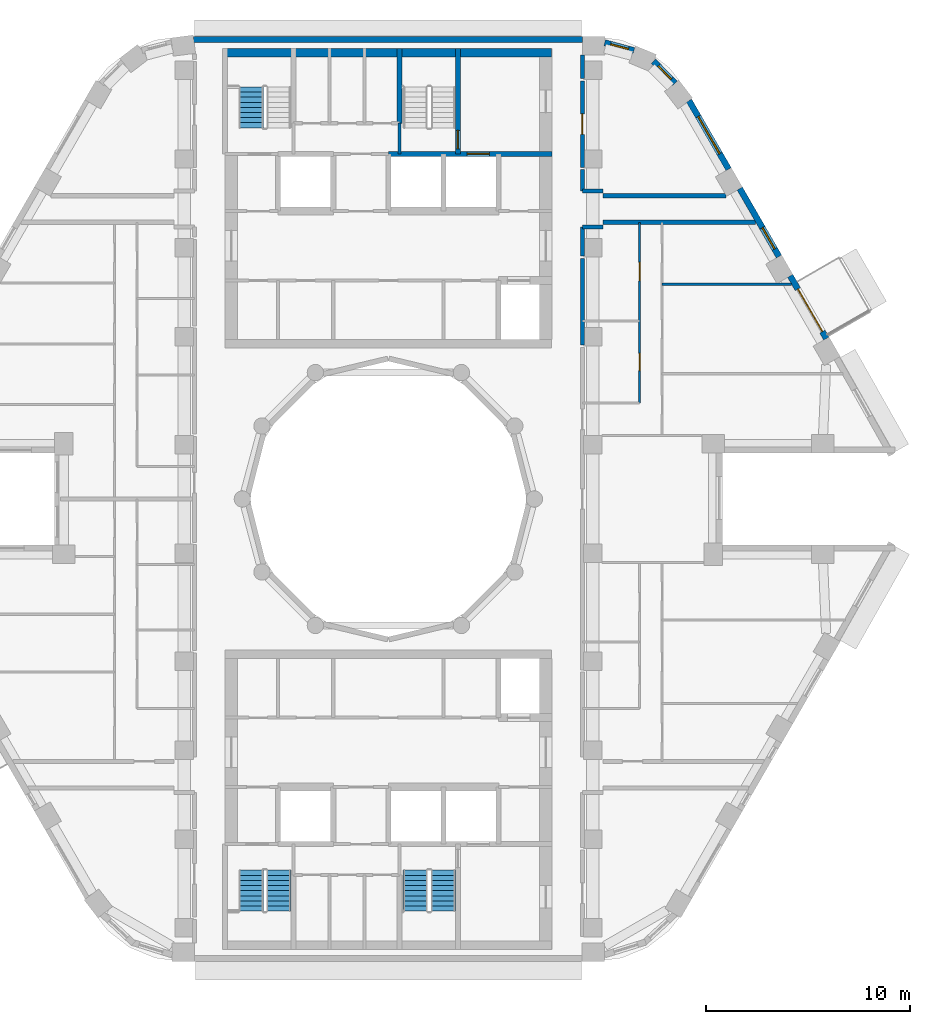
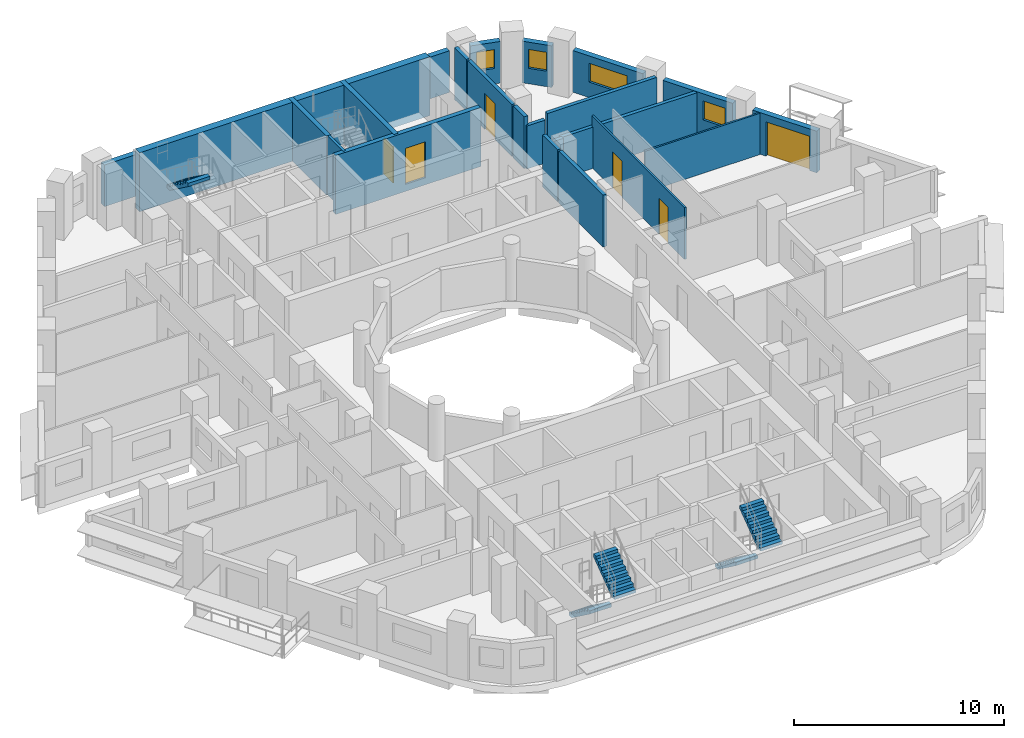
# One storey, part 8 of 16: 22 walls, 6 doors, 5 stair flights, 4 windows, 10 openings, 3 elements without a shape of their own.
"""IFC4 building model written with IfcOpenShell, lengths in metres."""

from ifc_helpers import new_model, si_unit, direction, frame, frame_2d, origin, place, context, subcontext, project, spatial, polyline, rectangle, outline, extrude, material, layer, layer_set, type_object, element, fill, aggregate, save


model = new_model("IFC4")

# Units and contexts
model_context = context("Model", 3, precision=1e-05, world=origin(), true_north=direction((0.0, 1.0)))
body_context = subcontext(model_context, "Body", "Model", "MODEL_VIEW")
ifc_project = project(units=[si_unit("LENGTHUNIT", "METRE"), si_unit("AREAUNIT", "SQUARE_METRE"), si_unit("VOLUMEUNIT", "CUBIC_METRE"), si_unit("PLANEANGLEUNIT", "RADIAN"), si_unit("MASSUNIT", "GRAM", prefix="KILO")], contexts=[model_context])

# Site, building, storey
site_placement = place(None, origin())
site = spatial("IfcSite", under=ifc_project, at=site_placement, CompositionType="ELEMENT")
building_placement = place(site_placement, origin())
building = spatial("IfcBuilding", under=site, at=building_placement, Name="Nakaniwa Court", CompositionType="ELEMENT")
storey_placement = place(building_placement, frame((0.0, 0.0, 226.199951171875)))
storey = spatial("IfcBuildingStorey", under=building, at=storey_placement, Name="L58", CompositionType="ELEMENT", Elevation=226.199951171875)

# Walls
ifc_material_1 = material(Name="Acoustic double stud partition")
ifc_layer_1 = layer(ifc_material_1, 0.199951171875)
ifc_layer_set_1 = layer_set([ifc_layer_1], Name="Acoustic double stud partition")
wall_type_1 = type_object("IfcWallType", Name="Acoustic double stud partition 200", PredefinedType="PARTITIONING", material=ifc_layer_set_1)
wall_1_placement = place(storey_placement, frame((89.5, 87.537109375, 0.0), z_axis=(0.0, 0.0, 1.0), x_axis=(0.0, 1.0, 0.0)))
element("IfcWall", 1, at=wall_1_placement, inside=storey, type_object=wall_type_1, Name="Partition PW-067", PredefinedType="PARTITIONING", context=body_context, shape_type="SweptSolid", body=[
    extrude(rectangle(XDim=4.23583984375, YDim=0.199951171875, at=frame_2d((2.117919921875, 0.0))), origin(), (0.0, 0.0, 1.0), 3.025146484375),
])
wall_2_placement = place(storey_placement, frame((89.5, 91.886962890625, 0.0), z_axis=(0.0, 0.0, 1.0), x_axis=(0.0, 1.0, 0.0)))
element("IfcWall", 2, at=wall_2_placement, inside=storey, type_object=wall_type_1, Name="Partition PW-068", PredefinedType="PARTITIONING", context=body_context, shape_type="SweptSolid", body=[
    extrude(rectangle(XDim=1.44091796875, YDim=0.199951171875, at=frame_2d((0.720458984375, 0.0))), origin(), (0.0, 0.0, 1.0), 3.025146484375),
])
wall_3_placement = place(storey_placement, frame((89.5, 95.072021484375, 0.0), z_axis=(0.0, 0.0, 1.0), x_axis=(0.0, 1.0, 0.0)))
element("IfcWall", 3, at=wall_3_placement, inside=storey, type_object=wall_type_1, Name="Partition PW-069", PredefinedType="PARTITIONING", context=body_context, shape_type="SweptSolid", body=[
    extrude(rectangle(XDim=1.051025390625, YDim=0.199951171875, at=frame_2d((0.525390625, 0.0))), origin(), (0.0, 0.0, 1.0), 3.025146484375),
])

# Wall, opening, door
wall_4_placement = place(storey_placement, frame((89.5, 100.472900390625, 0.0), z_axis=(0.0, 0.0, 1.0), x_axis=(0.0, -1.0, 0.0)))
wall_4 = element("IfcWall", 4, at=wall_4_placement, inside=storey, type_object=wall_type_1, Name="Partition PW-070", PredefinedType="PARTITIONING", context=body_context, shape_type="SweptSolid", body=[
    extrude(rectangle(XDim=4.23583984375, YDim=0.199951171875, at=frame_2d((2.117919921875, 0.0))), origin(), (0.0, 0.0, 1.0), 3.025146484375),
])
opening_1_placement = place(wall_4_placement, frame((1.617919921875, 0.0, 0.0)))
opening_1 = element("IfcOpeningElement", 5, at=opening_1_placement, cuts=wall_4, Name="Opening D-02-03", PredefinedType="OPENING", context=body_context, shape_type="SweptSolid", body=[
    extrude(rectangle(XDim=1.0, YDim=2.10009765625, at=frame_2d((0.5, 1.050048828125))), frame((0.0, 0.10986328125, 0.0), z_axis=(0.0, -1.0, 0.0), x_axis=(1.0, 0.0, 0.0)), (0.0, 0.0, 1.0), 0.219970703125),
])
ifc_material_2 = material(Name="Solid core timber door set, black veneer", Category="wood")
door_type_1 = type_object("IfcDoorType", Name="Internal door 1000", OperationType="NOTDEFINED", PredefinedType="DOOR", material=ifc_material_2)
door_1_placement = place(opening_1_placement, origin())
door_1 = element("IfcDoor", 6, at=door_1_placement, inside=storey, type_object=door_type_1, Name="Door D-02-03 L58-041", OperationType="SINGLE_SWING_RIGHT", OverallHeight=2.10009765625, OverallWidth=1.0, PredefinedType="DOOR", context=body_context, shape_type="SweptSolid", body=[
    extrude(rectangle(XDim=1.0, YDim=2.10009765625, at=frame_2d((0.5, 1.050048828125))), frame((0.0, 0.02490234375, 0.0), z_axis=(0.0, -1.0, 0.0), x_axis=(1.0, 0.0, 0.0)), (0.0, 0.0, 1.0), 0.050048828125),
])
fill(opening_1, door_1)

# Walls
wall_5_placement = place(storey_placement, frame((89.5, 100.5869140625, 0.0), z_axis=(0.0, 0.0, 1.0), x_axis=(0.0, 1.0, 0.0)))
element("IfcWall", 7, at=wall_5_placement, inside=storey, type_object=wall_type_1, Name="Partition PW-071", PredefinedType="PARTITIONING", context=body_context, shape_type="SweptSolid", body=[
    extrude(rectangle(XDim=1.14599609375, YDim=0.199951171875, at=frame_2d((0.572998046875, 0.0))), origin(), (0.0, 0.0, 1.0), 3.025146484375),
])
wall_6_placement = place(storey_placement, frame((90.5, 93.550048828125, 0.0), z_axis=(0.0, 0.0, 1.0), x_axis=(1.0, 0.0, 0.0)))
element("IfcWall", 8, at=wall_6_placement, inside=storey, type_object=wall_type_1, Name="Partition PW-073", PredefinedType="PARTITIONING", context=body_context, shape_type="SweptSolid", body=[
    extrude(rectangle(XDim=7.484619140625, YDim=0.199951171875, at=frame_2d((3.7421875, 0.0))), origin(), (0.0, 0.0, 1.0), 2.405029296875),
])
for number, where, z_axis, x_axis, name in (
    (9, (89.5, 93.324951171875, 0.0), (0.0, 0.0, 1.0), (1.0, 0.0, 0.0), "Partition PW-075"),
    (10, (89.5, 95.074951171875, 0.0), (0.0, 0.0, 1.0), (1.0, 0.0, 0.0), "Partition PW-077"),
):
    element("IfcWall", number, at=place(storey_placement, frame(where, z_axis=z_axis, x_axis=x_axis)), inside=storey, type_object=wall_type_1, Name=name, PredefinedType="PARTITIONING", context=body_context, shape_type="SweptSolid", body=[
        extrude(rectangle(XDim=1.0, YDim=0.199951171875, at=frame_2d((0.5, 0.0))), origin(), (0.0, 0.0, 1.0), 2.505126953125),
    ])
wall_7_placement = place(storey_placement, frame((90.5, 94.85009765625, 0.0), z_axis=(0.0, 0.0, 1.0), x_axis=(1.0, 0.0, 0.0)))
element("IfcWall", 11, at=wall_7_placement, inside=storey, type_object=wall_type_1, Name="Partition PW-079", PredefinedType="PARTITIONING", context=body_context, shape_type="SweptSolid", body=[
    extrude(rectangle(XDim=6.02099609375, YDim=0.199951171875, at=frame_2d((3.010498046875, 0.0))), origin(), (0.0, 0.0, 1.0), 3.025146484375),
])

# Wall, opening, door
ifc_material_3 = material(Name="Charcoal ceramic cladding")
ifc_layer_2 = layer(ifc_material_3, 0.02, Name="Ceramic cladding")
ifc_material_4 = material(Name="Ventilated air cavity")
ifc_layer_3 = layer(ifc_material_4, 0.04, ventilated=True, Name="Ventilated cavity")
ifc_material_5 = material(Name="Mineral wool insulation")
ifc_layer_4 = layer(ifc_material_5, 0.1, Name="Insulation")
ifc_material_6 = material(Name="Cement bonded sheathing board")
ifc_layer_5 = layer(ifc_material_6, 0.012, Name="Sheathing")
ifc_material_7 = material(Name="Cold-formed galvanised stud frame with mineral wool infill")
ifc_layer_6 = layer(ifc_material_7, 0.1, Name="Stud frame")
ifc_material_8 = material(Name="Fire-rated gypsum plasterboard lining")
ifc_layer_7 = layer(ifc_material_8, 0.028, Name="Lining")
ifc_layer_set_2 = layer_set([ifc_layer_2, ifc_layer_3, ifc_layer_4, ifc_layer_5, ifc_layer_6, ifc_layer_7], Name="Charcoal ceramic faced external wall system")
wall_type_2 = type_object("IfcWallType", Name="Black ceramic faced external wall 300", PredefinedType="SOLIDWALL", material=ifc_layer_set_2)
wall_8_placement = place(storey_placement, frame((101.44580078125, 87.85498046875, 0.0), z_axis=(0.0, 0.0, 1.0), x_axis=(-0.500010404316, 0.866019396766, 0.0)))
wall_8 = element("IfcWall", 12, at=wall_8_placement, inside=storey, type_object=wall_type_2, Name="L58 external wall 03", PredefinedType="SOLIDWALL", context=body_context, shape_type="SweptSolid", body=[
    extrude(rectangle(XDim=3.54736328125, YDim=0.300048828125, at=frame_2d((1.773681640625, 0.0))), origin(), (0.0, 0.0, 1.0), 2.425048828125),
])
opening_2_placement = place(wall_8_placement, frame((0.3974609375, 0.0, 0.0)))
opening_2 = element("IfcOpeningElement", 13, at=opening_2_placement, cuts=wall_8, Name="Opening XD13.01", PredefinedType="OPENING", context=body_context, shape_type="SweptSolid", body=[
    extrude(rectangle(XDim=2.39990234375, YDim=2.0, at=frame_2d((1.199951171875, 1.0))), frame((0.0, 0.159912109375, 0.0), z_axis=(0.0, -1.0, 0.0), x_axis=(1.0, 0.0, 0.0)), (0.0, 0.0, 1.0), 0.320068359375),
])
ifc_material_9 = material(Name="Black powder-coated aluminium frame with dark laminated glass", Category="aluminium")
door_type_2 = type_object("IfcDoorType", Name="Balcony sliding door 2400x2000", OperationType="DOUBLE_DOOR_SLIDING", PredefinedType="DOOR", material=ifc_material_9)
door_2_placement = place(opening_2_placement, origin())
door_2 = element("IfcDoor", 14, at=door_2_placement, inside=storey, type_object=door_type_2, Name="L58 balcony sliding door 02", OperationType="DOUBLE_DOOR_SLIDING", OverallHeight=2.0, OverallWidth=2.39990234375, PredefinedType="DOOR", context=body_context, shape_type="SweptSolid", body=[
    extrude(rectangle(XDim=2.39990234375, YDim=2.0, at=frame_2d((1.199951171875, 1.0))), frame((0.0, 0.02490234375, 0.0), z_axis=(0.0, -1.0, 0.0), x_axis=(1.0, 0.0, 0.0)), (0.0, 0.0, 1.0), 0.050048828125),
])
fill(opening_2, door_2)

# Wall, opening, window
wall_9_placement = place(storey_placement, frame((99.126220703125, 91.87255859375, 0.0), z_axis=(0.0, 0.0, 1.0), x_axis=(-0.499984490703, 0.866034357896, 0.0)))
wall_9 = element("IfcWall", 15, at=wall_9_placement, inside=storey, type_object=wall_type_2, Name="L58 external wall 04", PredefinedType="SOLIDWALL", context=body_context, shape_type="SweptSolid", body=[
    extrude(rectangle(XDim=3.84423828125, YDim=0.300048828125, at=frame_2d((1.922119140625, 0.0))), origin(), (0.0, 0.0, 1.0), 2.425048828125),
])
opening_3_placement = place(wall_9_placement, frame((0.4296875, 0.0, 0.89990234375)))
opening_3 = element("IfcOpeningElement", 16, at=opening_3_placement, cuts=wall_9, Name="Opening W6.02", PredefinedType="OPENING", context=body_context, shape_type="SweptSolid", body=[
    extrude(rectangle(XDim=1.199951171875, YDim=1.10009765625, at=frame_2d((0.60009765625, 0.550048828125))), frame((0.0, 0.159912109375, 0.0), z_axis=(0.0, -1.0, 0.0), x_axis=(1.0, 0.0, 0.0)), (0.0, 0.0, 1.0), 0.320068359375),
])
ifc_material_10 = material(Name="Black anodised aluminium frame with dark low-E laminated double glazing", Category="aluminium")
window_type_1 = type_object("IfcWindowType", Name="Dark glass window 1200x1100 sill 900", PartitioningType="SINGLE_PANEL", PredefinedType="WINDOW", material=ifc_material_10)
window_1_placement = place(opening_3_placement, origin())
window_1 = element("IfcWindow", 17, at=window_1_placement, inside=storey, type_object=window_type_1, Name="L58 bedroom window 04-0", OverallHeight=1.10009765625, OverallWidth=1.199951171875, PartitioningType="SINGLE_PANEL", PredefinedType="WINDOW", context=body_context, shape_type="SweptSolid", body=[
    extrude(rectangle(XDim=1.199951171875, YDim=1.10009765625, at=frame_2d((0.60009765625, 0.550048828125))), frame((0.0, 0.030029296875, 0.0), z_axis=(0.0, -1.0, 0.0), x_axis=(1.0, 0.0, 0.0)), (0.0, 0.0, 1.0), 0.06005859375),
])
fill(opening_3, window_1)

wall_10_placement = place(storey_placement, frame((96.657958984375, 96.1474609375, 0.0), z_axis=(0.0, 0.0, 1.0), x_axis=(-0.500011218404, 0.866018926739, 0.0)))
wall_10 = element("IfcWall", 18, at=wall_10_placement, inside=storey, type_object=wall_type_2, Name="L58 external wall 05", PredefinedType="SOLIDWALL", context=body_context, shape_type="SweptSolid", body=[
    extrude(rectangle(XDim=3.87890625, YDim=0.300048828125, at=frame_2d((1.939453125, 0.0))), origin(), (0.0, 0.0, 1.0), 2.425048828125),
])
opening_4_placement = place(wall_10_placement, frame((0.878173828125, 0.0, 0.89990234375)))
opening_4 = element("IfcOpeningElement", 19, at=opening_4_placement, cuts=wall_10, Name="Opening W7.03", PredefinedType="OPENING", context=body_context, shape_type="SweptSolid", body=[
    extrude(rectangle(XDim=2.10009765625, YDim=1.10009765625, at=frame_2d((1.050048828125, 0.550048828125))), frame((0.0, 0.159912109375, 0.0), z_axis=(0.0, -1.0, 0.0), x_axis=(1.0, 0.0, 0.0)), (0.0, 0.0, 1.0), 0.320068359375),
])
window_type_2 = type_object("IfcWindowType", Name="Dark glass window 2100x1100 sill 900", PartitioningType="SINGLE_PANEL", PredefinedType="WINDOW", material=ifc_material_10)
window_2_placement = place(opening_4_placement, origin())
window_2 = element("IfcWindow", 20, at=window_2_placement, inside=storey, type_object=window_type_2, Name="L58 habitable room window 05-0", OverallHeight=1.10009765625, OverallWidth=2.10009765625, PartitioningType="SINGLE_PANEL", PredefinedType="WINDOW", context=body_context, shape_type="SweptSolid", body=[
    extrude(rectangle(XDim=2.10009765625, YDim=1.10009765625, at=frame_2d((1.050048828125, 0.550048828125))), frame((0.0, 0.030029296875, 0.0), z_axis=(0.0, -1.0, 0.0), x_axis=(1.0, 0.0, 0.0)), (0.0, 0.0, 1.0), 0.06005859375),
])
fill(opening_4, window_2)

wall_11_placement = place(storey_placement, frame((94.0341796875, 100.3583984375, 0.0), z_axis=(0.0, 0.0, 1.0), x_axis=(-0.698675602211, 0.71543860874, 0.0)))
wall_11 = element("IfcWall", 21, at=wall_11_placement, inside=storey, type_object=wall_type_2, Name="L58 external wall 06", PredefinedType="SOLIDWALL", context=body_context, shape_type="SweptSolid", body=[
    extrude(rectangle(XDim=1.5, YDim=0.300048828125, at=frame_2d((0.75, 0.0))), origin(), (0.0, 0.0, 1.0), 2.425048828125),
])
opening_5_placement = place(wall_11_placement, frame((0.27587890625, 0.0, 0.89990234375)))
opening_5 = element("IfcOpeningElement", 22, at=opening_5_placement, cuts=wall_11, Name="Opening W9.04", PredefinedType="OPENING", context=body_context, shape_type="SweptSolid", body=[
    extrude(rectangle(XDim=0.89990234375, YDim=1.10009765625, at=frame_2d((0.449951171875, 0.550048828125))), frame((0.0, 0.159912109375, 0.0), z_axis=(0.0, -1.0, 0.0), x_axis=(1.0, 0.0, 0.0)), (0.0, 0.0, 1.0), 0.320068359375),
])
window_type_3 = type_object("IfcWindowType", Name="Dark glass window 900x1100 sill 900", PartitioningType="SINGLE_PANEL", PredefinedType="WINDOW", material=ifc_material_10)
window_3_placement = place(opening_5_placement, origin())
window_3 = element("IfcWindow", 23, at=window_3_placement, inside=storey, type_object=window_type_3, Name="L58 habitable room window 06-0", OverallHeight=1.10009765625, OverallWidth=0.89990234375, PartitioningType="SINGLE_PANEL", PredefinedType="WINDOW", context=body_context, shape_type="SweptSolid", body=[
    extrude(rectangle(XDim=0.89990234375, YDim=1.10009765625, at=frame_2d((0.449951171875, 0.550048828125))), frame((0.0, 0.030029296875, 0.0), z_axis=(0.0, -1.0, 0.0), x_axis=(1.0, 0.0, 0.0)), (0.0, 0.0, 1.0), 0.06005859375),
])
fill(opening_5, window_3)

wall_12_placement = place(storey_placement, frame((92.02099609375, 101.956298828125, 0.0), z_axis=(0.0, 0.0, 1.0), x_axis=(-0.965392564919, 0.260801065181, 0.0)))
wall_12 = element("IfcWall", 24, at=wall_12_placement, inside=storey, type_object=wall_type_2, Name="L58 external wall 07", PredefinedType="SOLIDWALL", context=body_context, shape_type="SweptSolid", body=[
    extrude(rectangle(XDim=1.48095703125, YDim=0.300048828125, at=frame_2d((0.740478515625, 0.0))), origin(), (0.0, 0.0, 1.0), 2.425048828125),
])
opening_6_placement = place(wall_12_placement, frame((0.280029296875, 0.0, 0.89990234375)))
opening_6 = element("IfcOpeningElement", 25, at=opening_6_placement, cuts=wall_12, Name="Opening W9.05", PredefinedType="OPENING", context=body_context, shape_type="SweptSolid", body=[
    extrude(rectangle(XDim=0.89990234375, YDim=1.10009765625, at=frame_2d((0.449951171875, 0.550048828125))), frame((0.0, 0.159912109375, 0.0), z_axis=(0.0, -1.0, 0.0), x_axis=(1.0, 0.0, 0.0)), (0.0, 0.0, 1.0), 0.320068359375),
])
window_4_placement = place(opening_6_placement, origin())
window_4 = element("IfcWindow", 26, at=window_4_placement, inside=storey, type_object=window_type_3, Name="L58 habitable room window 07-0", OverallHeight=1.10009765625, OverallWidth=0.89990234375, PartitioningType="SINGLE_PANEL", PredefinedType="WINDOW", context=body_context, shape_type="SweptSolid", body=[
    extrude(rectangle(XDim=0.89990234375, YDim=1.10009765625, at=frame_2d((0.449951171875, 0.550048828125))), frame((0.0, 0.030029296875, 0.0), z_axis=(0.0, -1.0, 0.0), x_axis=(1.0, 0.0, 0.0)), (0.0, 0.0, 1.0), 0.06005859375),
])
fill(opening_6, window_4)

# Walls
wall_13_placement = place(storey_placement, frame((89.499267578125, 102.5, 0.0), z_axis=(0.0, 0.0, 1.0), x_axis=(-1.0, 0.0, 0.0)))
element("IfcWall", 27, at=wall_13_placement, inside=storey, type_object=wall_type_2, Name="L58 external wall 08", PredefinedType="SOLIDWALL", context=body_context, shape_type="SweptSolid", body=[
    extrude(rectangle(XDim=19.033447265625, YDim=0.300048828125, at=frame_2d((9.5166015625, 0.0))), origin(), (0.0, 0.0, 1.0), 2.425048828125),
])
ifc_material_11 = material(Name="Concrete C80/100", Category="concrete")
ifc_layer_8 = layer(ifc_material_11, 0.14990234375)
ifc_layer_set_3 = layer_set([ifc_layer_8], Name="Concrete C80/100")
wall_type_3 = type_object("IfcWallType", Name="Concrete core wall 150 C80", PredefinedType="SHEAR", material=ifc_layer_set_3)
wall_14_placement = place(storey_placement, frame((80.550048828125, 96.89990234375, -0.409912109375), z_axis=(0.0, 0.0, 1.0), x_axis=(0.0, 1.0, 0.0)))
element("IfcWall", 28, at=wall_14_placement, inside=storey, type_object=wall_type_3, Name="Core wall SW-27", PredefinedType="SHEAR", context=body_context, shape_type="SweptSolid", body=[
    extrude(rectangle(XDim=1.503173828125, YDim=0.14990234375, at=frame_2d((0.75146484375, 0.0))), origin(), (0.0, 0.0, 1.0), 3.43505859375),
])
ifc_layer_9 = layer(ifc_material_11, 0.39990234375)
ifc_layer_set_4 = layer_set([ifc_layer_9], Name="Concrete C80/100")
wall_type_4 = type_object("IfcWallType", Name="Concrete core wall 400 C80", PredefinedType="SHEAR", material=ifc_layer_set_4)
wall_15_placement = place(storey_placement, frame((72.00390625, 101.85009765625, -0.409912109375), z_axis=(0.0, 0.0, 1.0), x_axis=(1.0, 0.0, 0.0)))
element("IfcWall", 29, at=wall_15_placement, inside=storey, type_object=wall_type_4, Name="Core wall SW-129", PredefinedType="SHEAR", context=body_context, shape_type="SweptSolid", body=[
    extrude(rectangle(XDim=15.9921875, YDim=0.39990234375, at=frame_2d((7.99609375, 0.0))), origin(), (0.0, 0.0, 1.0), 3.43505859375),
])

# Wall, opening, door
ifc_layer_10 = layer(ifc_material_11, 0.25)
ifc_layer_set_5 = layer_set([ifc_layer_10], Name="Concrete C80/100")
wall_type_5 = type_object("IfcWallType", Name="Concrete shaft wall 250 C80", PredefinedType="SHEAR", material=ifc_layer_set_5)
wall_16_placement = place(storey_placement, frame((80.0, 96.89990234375, -0.409912109375), z_axis=(0.0, 0.0, 1.0), x_axis=(1.0, 0.0, 0.0)))
wall_16 = element("IfcWall", 30, at=wall_16_placement, inside=storey, type_object=wall_type_5, Name="Core wall SW-19", PredefinedType="SHEAR", context=body_context, shape_type="SweptSolid", body=[
    extrude(rectangle(XDim=8.0, YDim=0.25, at=frame_2d((4.0, 0.0))), origin(), (0.0, 0.0, 1.0), 3.43505859375),
])
opening_7_placement = place(wall_16_placement, frame((3.84912109375, 0.0, 0.409912109375)))
opening_7 = element("IfcOpeningElement", 31, at=opening_7_placement, cuts=wall_16, Name="Opening LD02", PredefinedType="OPENING", context=body_context, shape_type="SweptSolid", body=[
    extrude(rectangle(XDim=1.10009765625, YDim=2.10009765625, at=frame_2d((0.550048828125, 1.050048828125))), frame((0.0, 0.135009765625, 0.0), z_axis=(0.0, -1.0, 0.0), x_axis=(1.0, 0.0, 0.0)), (0.0, 0.0, 1.0), 0.27001953125),
])
ifc_material_12 = material(Name="Stainless steel sliding lift landing door", Category="steel")
door_type_3 = type_object("IfcDoorType", Name="Lift landing door 1100", OperationType="NOTDEFINED", PredefinedType="DOOR", material=ifc_material_12)
door_3_placement = place(opening_7_placement, origin())
door_3 = element("IfcDoor", 32, at=door_3_placement, inside=storey, type_object=door_type_3, Name="Lift landing door LD02 L58-002", OperationType="SLIDING_TO_LEFT", OverallHeight=2.10009765625, OverallWidth=1.10009765625, PredefinedType="DOOR", context=body_context, shape_type="SweptSolid", body=[
    extrude(rectangle(XDim=1.10009765625, YDim=2.10009765625, at=frame_2d((0.550048828125, 1.050048828125))), frame((0.0, 0.02490234375, 0.0), z_axis=(0.0, -1.0, 0.0), x_axis=(1.0, 0.0, 0.0)), (0.0, 0.0, 1.0), 0.050048828125),
])
fill(opening_7, door_3)

wall_17_placement = place(storey_placement, frame((83.39990234375, 102.050048828125, -0.409912109375), z_axis=(0.0, 0.0, 1.0), x_axis=(0.0, -1.0, 0.0)))
wall_17 = element("IfcWall", 33, at=wall_17_placement, inside=storey, type_object=wall_type_5, Name="Core wall SW-26", PredefinedType="SHEAR", context=body_context, shape_type="SweptSolid", body=[
    extrude(rectangle(XDim=5.150146484375, YDim=0.25, at=frame_2d((2.5751953125, 0.0))), origin(), (0.0, 0.0, 1.0), 3.43505859375),
])
opening_8_placement = place(wall_17_placement, frame((4.0, 0.0, 0.409912109375)))
opening_8 = element("IfcOpeningElement", 34, at=opening_8_placement, cuts=wall_17, Name="Opening D-11-01", PredefinedType="OPENING", context=body_context, shape_type="SweptSolid", body=[
    extrude(rectangle(XDim=0.89990234375, YDim=2.10009765625, at=frame_2d((0.449951171875, 1.050048828125))), frame((0.0, 0.135009765625, 0.0), z_axis=(0.0, -1.0, 0.0), x_axis=(1.0, 0.0, 0.0)), (0.0, 0.0, 1.0), 0.27001953125),
])
ifc_material_13 = material(Name="Fire rated steel door set", Category="steel")
door_type_4 = type_object("IfcDoorType", Name="Stair door 900", OperationType="NOTDEFINED", PredefinedType="DOOR", material=ifc_material_13)
door_4_placement = place(opening_8_placement, origin())
door_4 = element("IfcDoor", 35, at=door_4_placement, inside=storey, type_object=door_type_4, Name="Door D-11-01 L58-013", OperationType="SINGLE_SWING_LEFT", OverallHeight=2.10009765625, OverallWidth=0.89990234375, PredefinedType="DOOR", context=body_context, shape_type="SweptSolid", body=[
    extrude(rectangle(XDim=0.89990234375, YDim=2.10009765625, at=frame_2d((0.449951171875, 1.050048828125))), frame((0.0, 0.02490234375, 0.0), z_axis=(0.0, -1.0, 0.0), x_axis=(1.0, 0.0, 0.0)), (0.0, 0.0, 1.0), 0.050048828125),
])
fill(opening_8, door_4)

# Wall
wall_18_placement = place(storey_placement, frame((80.550048828125, 98.39697265625, -0.409912109375), z_axis=(0.0, 0.0, 1.0), x_axis=(0.0, 1.0, 0.0)))
element("IfcWall", 36, at=wall_18_placement, inside=storey, type_object=wall_type_5, Name="Core wall SW-28", PredefinedType="SHEAR", context=body_context, shape_type="SweptSolid", body=[
    extrude(rectangle(XDim=3.653076171875, YDim=0.25, at=frame_2d((1.82666015625, 0.0))), origin(), (0.0, 0.0, 1.0), 3.43505859375),
])

# Wall, openings, doors
ifc_material_14 = material(Name="Single stud plasterboard partition")
ifc_layer_11 = layer(ifc_material_14, 0.10009765625)
ifc_layer_set_6 = layer_set([ifc_layer_11], Name="Single stud plasterboard partition")
wall_type_6 = type_object("IfcWallType", Name="Single stud plasterboard partition 100", PredefinedType="PARTITIONING", material=ifc_layer_set_6)
wall_19_placement = place(storey_placement, frame((92.300048828125, 84.699951171875, 0.0), z_axis=(0.0, 0.0, 1.0), x_axis=(0.0, 1.0, 0.0)))
wall_19 = element("IfcWall", 37, at=wall_19_placement, inside=storey, type_object=wall_type_6, Name="Partition PW-100", PredefinedType="PARTITIONING", context=body_context, shape_type="SweptSolid", body=[
    extrude(rectangle(XDim=8.85009765625, YDim=0.10009765625, at=frame_2d((4.425048828125, 0.0))), origin(), (0.0, 0.0, 1.0), 3.025146484375),
])
opening_9_placement = place(wall_19_placement, frame((1.5859375, 0.0, 0.0)))
opening_9 = element("IfcOpeningElement", 38, at=opening_9_placement, cuts=wall_19, Name="Opening D-03-02", PredefinedType="OPENING", context=body_context, shape_type="SweptSolid", body=[
    extrude(rectangle(XDim=0.85009765625, YDim=2.10009765625, at=frame_2d((0.425048828125, 1.050048828125))), frame((0.0, 0.06005859375, 0.0), z_axis=(0.0, -1.0, 0.0), x_axis=(1.0, 0.0, 0.0)), (0.0, 0.0, 1.0), 0.1201171875),
])
opening_10_placement = place(wall_19_placement, frame((5.986083984375, 0.0, 0.0)))
opening_10 = element("IfcOpeningElement", 39, at=opening_10_placement, cuts=wall_19, Name="Opening D-33-05", PredefinedType="OPENING", context=body_context, shape_type="SweptSolid", body=[
    extrude(rectangle(XDim=0.89990234375, YDim=2.10009765625, at=frame_2d((0.449951171875, 1.050048828125))), frame((0.0, 0.06005859375, 0.0), z_axis=(0.0, -1.0, 0.0), x_axis=(1.0, 0.0, 0.0)), (0.0, 0.0, 1.0), 0.1201171875),
])
ifc_material_15 = material(Name="Moisture sealed timber door set", Category="wood")
door_type_5 = type_object("IfcDoorType", Name="Bathroom door 850", OperationType="NOTDEFINED", PredefinedType="DOOR", material=ifc_material_15)
door_5_placement = place(opening_9_placement, origin())
door_5 = element("IfcDoor", 40, at=door_5_placement, inside=storey, type_object=door_type_5, Name="Door D-03-02 L58-036", OperationType="SINGLE_SWING_LEFT", OverallHeight=2.10009765625, OverallWidth=0.85009765625, PredefinedType="DOOR", context=body_context, shape_type="SweptSolid", body=[
    extrude(rectangle(XDim=0.85009765625, YDim=2.10009765625, at=frame_2d((0.425048828125, 1.050048828125))), frame((0.0, 0.02490234375, 0.0), z_axis=(0.0, -1.0, 0.0), x_axis=(1.0, 0.0, 0.0)), (0.0, 0.0, 1.0), 0.050048828125),
])
fill(opening_9, door_5)
door_type_6 = type_object("IfcDoorType", Name="Internal door 900", OperationType="NOTDEFINED", PredefinedType="DOOR", material=ifc_material_2)
door_6_placement = place(opening_10_placement, origin())
door_6 = element("IfcDoor", 41, at=door_6_placement, inside=storey, type_object=door_type_6, Name="Door D-33-05 L58-037", OperationType="SINGLE_SWING_RIGHT", OverallHeight=2.10009765625, OverallWidth=0.89990234375, PredefinedType="DOOR", context=body_context, shape_type="SweptSolid", body=[
    extrude(rectangle(XDim=0.89990234375, YDim=2.10009765625, at=frame_2d((0.449951171875, 1.050048828125))), frame((0.0, 0.02490234375, 0.0), z_axis=(0.0, -1.0, 0.0), x_axis=(1.0, 0.0, 0.0)), (0.0, 0.0, 1.0), 0.050048828125),
])
fill(opening_10, door_6)

# Wall
wall_20_placement = place(storey_placement, frame((93.39990234375, 90.51611328125, 0.0), z_axis=(0.0, 0.0, 1.0), x_axis=(1.0, 0.0, 0.0)))
element("IfcWall", 42, at=wall_20_placement, inside=storey, type_object=wall_type_6, Name="Partition PW-112", PredefinedType="PARTITIONING", context=body_context, shape_type="SweptSolid", body=[
    extrude(rectangle(XDim=6.336181640625, YDim=0.10009765625, at=frame_2d((3.16796875, 0.0))), origin(), (0.0, 0.0, 1.0), 2.405029296875),
])

# Stair, stair flight
stair_type = type_object("IfcStairType", Name="Dog leg stair 1200 wide 18 risers", PredefinedType="HALF_TURN_STAIR", material=ifc_material_11)
stair_1_placement = place(storey_placement, origin())
stair_1 = element("IfcStair", 43, at=stair_1_placement, inside=storey, type_object=stair_type, Name="L58 Stair ST1", PredefinedType="HALF_TURN_STAIR")
stair_flight_type = type_object("IfcStairFlightType", Name="Stair flight 1200 wide 9 risers", PredefinedType="STRAIGHT", material=ifc_material_11)
stair_flight_1_placement = place(storey_placement, frame((73.27490234375, 100.175048828125, 1.650146484375), z_axis=(0.0, 0.0, 1.0), x_axis=(0.0, -1.0, 0.0)))
stair_flight_1 = element("IfcStairFlight", 44, at=stair_flight_1_placement, type_object=stair_flight_type, Name="ST1 flight 2", NumberOfRisers=9, NumberOfTreads=8, PredefinedType="STRAIGHT", RiserHeight=0.183333333, TreadLength=0.25, context=body_context, shape_type="SweptSolid", body=[
    extrude(outline(polyline([(0.0, 0.0), (0.0, 0.026123046875), (0.0, 0.052490234375), (0.0, 0.07861328125), (0.0, 0.104736328125), (0.0, 0.130859375), (0.0, 0.1572265625), (0.0, 0.183349609375), (0.25, 0.183349609375), (0.25, 0.36669921875), (0.5, 0.36669921875), (0.5, 0.550048828125), (0.75, 0.550048828125), (0.75, 0.7333984375), (1.0, 0.7333984375), (1.0, 0.916748046875), (1.25, 0.916748046875), (1.25, 1.10009765625), (1.5, 1.10009765625), (1.5, 1.283447265625), (1.75, 1.283447265625), (1.75, 1.466552734375), (2.0, 1.466552734375), (2.0, 1.64990234375), (2.0, 1.59716796875), (2.0, 1.54443359375), (2.0, 1.49169921875), (2.0, 1.43896484375), (2.0, 1.38623046875), (2.0, 1.33349609375), (2.0, 1.28076171875), (0.25341796875, 0.0), (0.0, 0.0)])), frame((0.0, 0.60009765625, 0.0), z_axis=(0.0, -1.0, 0.0), x_axis=(1.0, 0.0, 0.0)), (0.0, 0.0, 1.0), 1.199951171875),
])
aggregate(stair_1, [stair_flight_1])

# Stair, stair flights
stair_2_placement = place(storey_placement, origin())
stair_2 = element("IfcStair", 45, at=stair_2_placement, inside=storey, type_object=stair_type, Name="L58 Stair ST3", PredefinedType="HALF_TURN_STAIR")
stair_flight_2_placement = place(storey_placement, frame((73.27490234375, 61.824951171875, 0.0), z_axis=(0.0, 0.0, 1.0), x_axis=(0.0, -1.0, 0.0)))
stair_flight_2 = element("IfcStairFlight", 46, at=stair_flight_2_placement, type_object=stair_flight_type, Name="ST3 flight 1", NumberOfRisers=9, NumberOfTreads=8, PredefinedType="STRAIGHT", RiserHeight=0.183333333, TreadLength=0.25, context=body_context, shape_type="SweptSolid", body=[
    extrude(outline(polyline([(0.0, 0.0), (0.0, 0.026123046875), (0.0, 0.052490234375), (0.0, 0.07861328125), (0.0, 0.104736328125), (0.0, 0.130859375), (0.0, 0.1572265625), (0.0, 0.183349609375), (0.25, 0.183349609375), (0.25, 0.36669921875), (0.5, 0.36669921875), (0.5, 0.550048828125), (0.75, 0.550048828125), (0.75, 0.7333984375), (1.0, 0.7333984375), (1.0, 0.916748046875), (1.25, 0.916748046875), (1.25, 1.10009765625), (1.5, 1.10009765625), (1.5, 1.283447265625), (1.75, 1.283447265625), (1.75, 1.466552734375), (2.0, 1.466552734375), (2.0, 1.64990234375), (2.0, 1.59716796875), (2.0, 1.54443359375), (2.0, 1.49169921875), (2.0, 1.43896484375), (2.0, 1.38623046875), (2.0, 1.33349609375), (2.0, 1.28076171875), (0.25341796875, 0.0), (0.0, 0.0)])), frame((0.0, 0.60009765625, 0.0), z_axis=(0.0, -1.0, 0.0), x_axis=(1.0, 0.0, 0.0)), (0.0, 0.0, 1.0), 1.199951171875),
])
stair_flight_3_placement = place(storey_placement, frame((74.625, 59.824951171875, 1.650146484375), z_axis=(0.0, 0.0, 1.0), x_axis=(0.0, 1.0, 0.0)))
stair_flight_3 = element("IfcStairFlight", 47, at=stair_flight_3_placement, type_object=stair_flight_type, Name="ST3 flight 2", NumberOfRisers=9, NumberOfTreads=8, PredefinedType="STRAIGHT", RiserHeight=0.183333333, TreadLength=0.25, context=body_context, shape_type="SweptSolid", body=[
    extrude(outline(polyline([(0.0, 0.0), (0.0, 0.026123046875), (0.0, 0.052490234375), (0.0, 0.07861328125), (0.0, 0.104736328125), (0.0, 0.130859375), (0.0, 0.1572265625), (0.0, 0.183349609375), (0.25, 0.183349609375), (0.25, 0.36669921875), (0.5, 0.36669921875), (0.5, 0.550048828125), (0.75, 0.550048828125), (0.75, 0.7333984375), (1.0, 0.7333984375), (1.0, 0.916748046875), (1.25, 0.916748046875), (1.25, 1.10009765625), (1.5, 1.10009765625), (1.5, 1.283447265625), (1.75, 1.283447265625), (1.75, 1.466552734375), (2.0, 1.466552734375), (2.0, 1.64990234375), (2.0, 1.59716796875), (2.0, 1.54443359375), (2.0, 1.49169921875), (2.0, 1.43896484375), (2.0, 1.38623046875), (2.0, 1.33349609375), (2.0, 1.28076171875), (0.25341796875, 0.0), (0.0, 0.0)])), frame((0.0, 0.60009765625, 0.0), z_axis=(0.0, -1.0, 0.0), x_axis=(1.0, 0.0, 0.0)), (0.0, 0.0, 1.0), 1.199951171875),
])
aggregate(stair_2, [stair_flight_2, stair_flight_3])

stair_3_placement = place(storey_placement, origin())
stair_3 = element("IfcStair", 48, at=stair_3_placement, inside=storey, type_object=stair_type, Name="L58 Stair ST4", PredefinedType="HALF_TURN_STAIR")
stair_flight_4_placement = place(storey_placement, frame((81.324951171875, 61.824951171875, 0.0), z_axis=(0.0, 0.0, 1.0), x_axis=(0.0, -1.0, 0.0)))
stair_flight_4 = element("IfcStairFlight", 49, at=stair_flight_4_placement, type_object=stair_flight_type, Name="ST4 flight 1", NumberOfRisers=9, NumberOfTreads=8, PredefinedType="STRAIGHT", RiserHeight=0.183333333, TreadLength=0.25, context=body_context, shape_type="SweptSolid", body=[
    extrude(outline(polyline([(0.0, 0.0), (0.0, 0.026123046875), (0.0, 0.052490234375), (0.0, 0.07861328125), (0.0, 0.104736328125), (0.0, 0.130859375), (0.0, 0.1572265625), (0.0, 0.183349609375), (0.25, 0.183349609375), (0.25, 0.36669921875), (0.5, 0.36669921875), (0.5, 0.550048828125), (0.75, 0.550048828125), (0.75, 0.7333984375), (1.0, 0.7333984375), (1.0, 0.916748046875), (1.25, 0.916748046875), (1.25, 1.10009765625), (1.5, 1.10009765625), (1.5, 1.283447265625), (1.75, 1.283447265625), (1.75, 1.466552734375), (2.0, 1.466552734375), (2.0, 1.64990234375), (2.0, 1.59716796875), (2.0, 1.54443359375), (2.0, 1.49169921875), (2.0, 1.43896484375), (2.0, 1.38623046875), (2.0, 1.33349609375), (2.0, 1.28076171875), (0.25341796875, 0.0), (0.0, 0.0)])), frame((0.0, 0.60009765625, 0.0), z_axis=(0.0, -1.0, 0.0), x_axis=(1.0, 0.0, 0.0)), (0.0, 0.0, 1.0), 1.199951171875),
])
stair_flight_5_placement = place(storey_placement, frame((82.675048828125, 59.824951171875, 1.650146484375), z_axis=(0.0, 0.0, 1.0), x_axis=(0.0, 1.0, 0.0)))
stair_flight_5 = element("IfcStairFlight", 50, at=stair_flight_5_placement, type_object=stair_flight_type, Name="ST4 flight 2", NumberOfRisers=9, NumberOfTreads=8, PredefinedType="STRAIGHT", RiserHeight=0.183333333, TreadLength=0.25, context=body_context, shape_type="SweptSolid", body=[
    extrude(outline(polyline([(0.0, 0.0), (0.0, 0.026123046875), (0.0, 0.052490234375), (0.0, 0.07861328125), (0.0, 0.104736328125), (0.0, 0.130859375), (0.0, 0.1572265625), (0.0, 0.183349609375), (0.25, 0.183349609375), (0.25, 0.36669921875), (0.5, 0.36669921875), (0.5, 0.550048828125), (0.75, 0.550048828125), (0.75, 0.7333984375), (1.0, 0.7333984375), (1.0, 0.916748046875), (1.25, 0.916748046875), (1.25, 1.10009765625), (1.5, 1.10009765625), (1.5, 1.283447265625), (1.75, 1.283447265625), (1.75, 1.466552734375), (2.0, 1.466552734375), (2.0, 1.64990234375), (2.0, 1.59716796875), (2.0, 1.54443359375), (2.0, 1.49169921875), (2.0, 1.43896484375), (2.0, 1.38623046875), (2.0, 1.33349609375), (2.0, 1.28076171875), (0.25341796875, 0.0), (0.0, 0.0)])), frame((0.0, 0.60009765625, 0.0), z_axis=(0.0, -1.0, 0.0), x_axis=(1.0, 0.0, 0.0)), (0.0, 0.0, 1.0), 1.199951171875),
])
aggregate(stair_3, [stair_flight_4, stair_flight_5])

save(model, "model.ifc")
